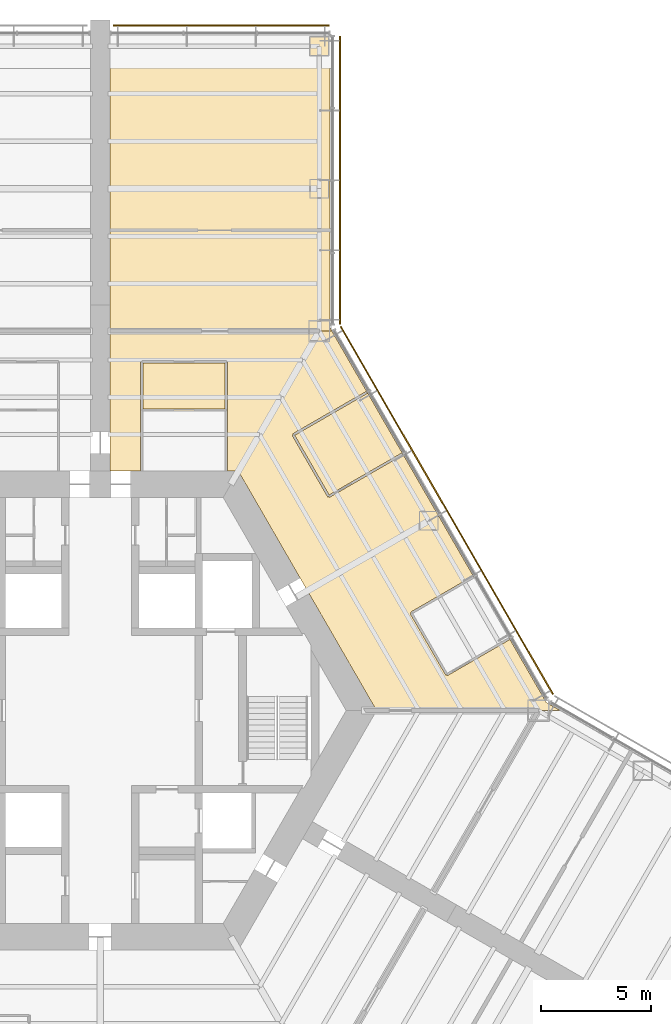
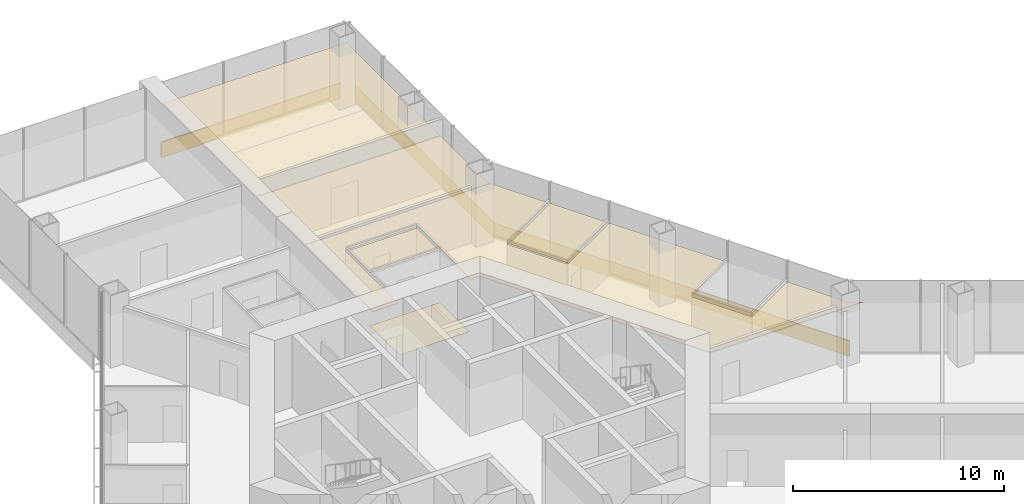
# One storey, part 17 of 17: 6 coverings, 3 shading devices.
"""IFC4 building model written with IfcOpenShell, lengths in metres."""

from ifc_helpers import new_model, si_unit, direction, frame, origin, origin_2d, place, context, subcontext, project, spatial, polyline, rectangle, outline, extrude, material, layer, layer_set, type_object, element, save


model = new_model("IFC4")

# Units and contexts
model_context = context("Model", 3, precision=1e-05, world=origin(), true_north=direction((0.0, 1.0)))
body_context = subcontext(model_context, "Body", "Model", "MODEL_VIEW")
ifc_project = project(units=[si_unit("LENGTHUNIT", "METRE"), si_unit("AREAUNIT", "SQUARE_METRE"), si_unit("VOLUMEUNIT", "CUBIC_METRE"), si_unit("PLANEANGLEUNIT", "RADIAN"), si_unit("MASSUNIT", "GRAM", prefix="KILO")], contexts=[model_context])

# Site, building, storey
site_placement = place(None, origin())
site = spatial("IfcSite", under=ifc_project, at=site_placement, CompositionType="ELEMENT")
building_placement = place(site_placement, origin())
building = spatial("IfcBuilding", under=site, at=building_placement, Name="Kasaneha Research Tower", CompositionType="ELEMENT")
storey_placement = place(building_placement, frame((0.0, 0.0, 43.60009765625)))
storey = spatial("IfcBuildingStorey", under=building, at=storey_placement, Name="L11", CompositionType="ELEMENT", Elevation=43.60009765625)

# Coverings
ifc_material_1 = material(Name="Washable coated ceiling board", Category="gypsum")
ifc_layer_1 = layer(ifc_material_1, 0.02490234375)
ifc_layer_set_1 = layer_set([ifc_layer_1], Name="Laboratory ceiling 25")
covering_type_1 = type_object("IfcCoveringType", Name="Laboratory ceiling 25", PredefinedType="CEILING", material=ifc_layer_set_1)
covering_1_placement = place(storey_placement, frame((0.0, 0.0, 3.0)))
element("IfcCovering", 1, at=covering_1_placement, inside=storey, type_object=covering_type_1, Name="Ceiling L11-29", PredefinedType="CEILING", context=body_context, shape_type="SweptSolid", body=[
    extrude(outline(polyline([(5.70703125, 15.875), (5.70703125, 13.77490234375), (1.949951171875, 13.77490234375), (1.949951171875, 15.875), (5.70703125, 15.875)])), origin(), (0.0, 0.0, 1.0), 0.02490234375),
])
covering_2_placement = place(storey_placement, frame((0.0, 0.0, 3.0)))
element("IfcCovering", 2, at=covering_2_placement, inside=storey, type_object=covering_type_1, Name="Ceiling L11-30", PredefinedType="CEILING", context=body_context, shape_type="SweptSolid", body=[
    extrude(outline(polyline([(13.809814453125, 11.7216796875), (13.79248046875, 11.711669921875), (13.767578125, 11.7548828125), (10.45068359375, 9.840087890625), (8.87744140625, 12.56494140625), (12.1943359375, 14.47998046875), (12.169189453125, 14.523193359375), (12.1865234375, 14.533203125), (13.809814453125, 11.7216796875)])), origin(), (0.0, 0.0, 1.0), 0.02490234375),
])
covering_3_placement = place(storey_placement, frame((0.0, 0.0, 3.0)))
element("IfcCovering", 3, at=covering_3_placement, inside=storey, type_object=covering_type_1, Name="Ceiling L11-32", PredefinedType="CEILING", context=body_context, shape_type="SweptSolid", body=[
    extrude(outline(polyline([(6.3076171875, 10.925048828125), (5.80712890625, 10.925048828125), (5.80712890625, 15.925048828125), (5.757568359375, 15.925048828125), (5.757568359375, 15.92529296875), (5.757080078125, 15.92529296875), (5.757080078125, 15.97509765625), (1.89990234375, 15.97509765625), (1.89990234375, 15.92529296875), (1.899658203125, 15.92529296875), (1.899658203125, 15.925048828125), (1.85009765625, 15.925048828125), (1.85009765625, 10.925048828125), (0.449951171875, 10.925048828125), (0.449951171875, 11.72509765625), (0.449951171875, 12.72509765625), (0.449951171875, 17.320556640625), (10.577392578125, 17.320556640625), (12.186279296875, 14.53369140625), (12.1689453125, 14.523681640625), (12.144287109375, 14.56640625), (8.7841796875, 12.62646484375), (8.80908203125, 12.58349609375), (8.80859375, 12.583251953125), (8.808837890625, 12.5830078125), (8.765869140625, 12.55810546875), (10.388916015625, 9.74658203125), (10.432373046875, 9.771728515625), (10.457275390625, 9.728515625), (13.8173828125, 11.66845703125), (13.792724609375, 11.711181640625), (13.81005859375, 11.72119140625), (17.055908203125, 6.09912109375), (17.03857421875, 6.089111328125), (17.013916015625, 6.132080078125), (14.17333984375, 4.4921875), (14.1982421875, 4.448974609375), (14.19775390625, 4.448974609375), (14.197998046875, 4.44873046875), (14.155029296875, 4.423828125), (15.7783203125, 1.6123046875), (15.821044921875, 1.636962890625), (15.821044921875, 1.636962890625), (15.821533203125, 1.63720703125), (15.846435546875, 1.593994140625), (18.68701171875, 3.23388671875), (18.662353515625, 3.27685546875), (18.6796875, 3.286865234375), (20.365966796875, 0.365966796875), (21.0, 0.0), (12.614990234375, 0.0), (6.3076171875, 10.925048828125)])), origin(), (0.0, 0.0, 1.0), 0.02490234375),
])
covering_4_placement = place(storey_placement, frame((0.0, 0.0, 3.0)))
element("IfcCovering", 4, at=covering_4_placement, inside=storey, type_object=covering_type_1, Name="Ceiling L11-33", PredefinedType="CEILING", context=body_context, shape_type="SweptSolid", body=[
    extrude(outline(polyline([(10.5, 21.92041015625), (10.5, 17.45458984375), (10.577392578125, 17.320556640625), (0.449951171875, 17.320556640625), (0.449951171875, 21.92041015625), (10.5, 21.92041015625)])), origin(), (0.0, 0.0, 1.0), 0.02490234375),
])
covering_5_placement = place(storey_placement, frame((0.0, 0.0, 3.0)))
element("IfcCovering", 5, at=covering_5_placement, inside=storey, type_object=covering_type_1, Name="Ceiling L11-34", PredefinedType="CEILING", context=body_context, shape_type="SweptSolid", body=[
    extrude(outline(polyline([(10.5, 30.820556640625), (10.5, 21.92041015625), (0.449951171875, 21.92041015625), (0.449951171875, 30.820556640625), (10.5, 30.820556640625)])), origin(), (0.0, 0.0, 1.0), 0.02490234375),
])

# Shading devices
ifc_material_2 = material(Name="Terracotta", Category="masonry")
ifc_layer_2 = layer(ifc_material_2, 0.06005859375)
ifc_layer_set_2 = layer_set([ifc_layer_2], Name="Terracotta baguette screen")
shading_device_type = type_object("IfcShadingDeviceType", Name="Terracotta baguette screen", PredefinedType="USERDEFINED", material=ifc_layer_set_2)
shading_device_1_placement = place(storey_placement, frame((15.82275390625, 9.13525390625, -0.449951171875), z_axis=(0.0, 0.0, 1.0), x_axis=(-0.49999996188, 0.866025425793, 0.0)))
element("IfcShadingDevice", 6, at=shading_device_1_placement, inside=storey, type_object=shading_device_type, Name="Baguette screen L11 07", ObjectType="TERRACOTTA BAGUETTE SCREEN", PredefinedType="USERDEFINED", context=body_context, shape_type="SweptSolid", body=[
    extrude(rectangle(XDim=19.37841796875, YDim=0.06005859375, at=origin_2d()), origin(), (0.0, 0.0, 1.0), 0.89990234375),
])
shading_device_2_placement = place(storey_placement, frame((10.949951171875, 24.200927734375, -0.449951171875), z_axis=(0.0, 0.0, 1.0), x_axis=(0.0, 1.0, 0.0)))
element("IfcShadingDevice", 7, at=shading_device_2_placement, inside=storey, type_object=shading_device_type, Name="Baguette screen L11 08", ObjectType="TERRACOTTA BAGUETTE SCREEN", PredefinedType="USERDEFINED", context=body_context, shape_type="SweptSolid", body=[
    extrude(rectangle(XDim=13.13916015625, YDim=0.06005859375, at=origin_2d()), origin(), (0.0, 0.0, 1.0), 0.89990234375),
])
shading_device_3_placement = place(storey_placement, frame((5.52490234375, 31.2705078125, -0.449951171875), z_axis=(0.0, 0.0, 1.0), x_axis=(-1.0, 0.0, 0.0)))
element("IfcShadingDevice", 8, at=shading_device_3_placement, inside=storey, type_object=shading_device_type, Name="Baguette screen L11 09", ObjectType="TERRACOTTA BAGUETTE SCREEN", PredefinedType="USERDEFINED", context=body_context, shape_type="SweptSolid", body=[
    extrude(rectangle(XDim=9.85009765625, YDim=0.06005859375, at=origin_2d()), origin(), (0.0, 0.0, 1.0), 0.89990234375),
])

# Covering
ifc_material_3 = material(Name="Vinyl sheet flooring", Category="plastic")
ifc_layer_3 = layer(ifc_material_3, 0.0048828125)
ifc_layer_set_3 = layer_set([ifc_layer_3], Name="Wet room sheet flooring 5")
covering_type_2 = type_object("IfcCoveringType", Name="Wet room sheet flooring 5", PredefinedType="FLOORING", material=ifc_layer_set_3)
covering_6_placement = place(storey_placement, origin())
element("IfcCovering", 9, at=covering_6_placement, inside=storey, type_object=covering_type_2, Name="Floor finish L11-28", PredefinedType="FLOORING", context=body_context, shape_type="SweptSolid", body=[
    extrude(outline(polyline([(1.89990234375, 13.72509765625), (5.757080078125, 13.72509765625), (5.757080078125, 10.925048828125), (1.89990234375, 10.925048828125), (1.89990234375, 13.72509765625)])), origin(), (0.0, 0.0, 1.0), 0.0048828125),
])

save(model, "model.ifc")
